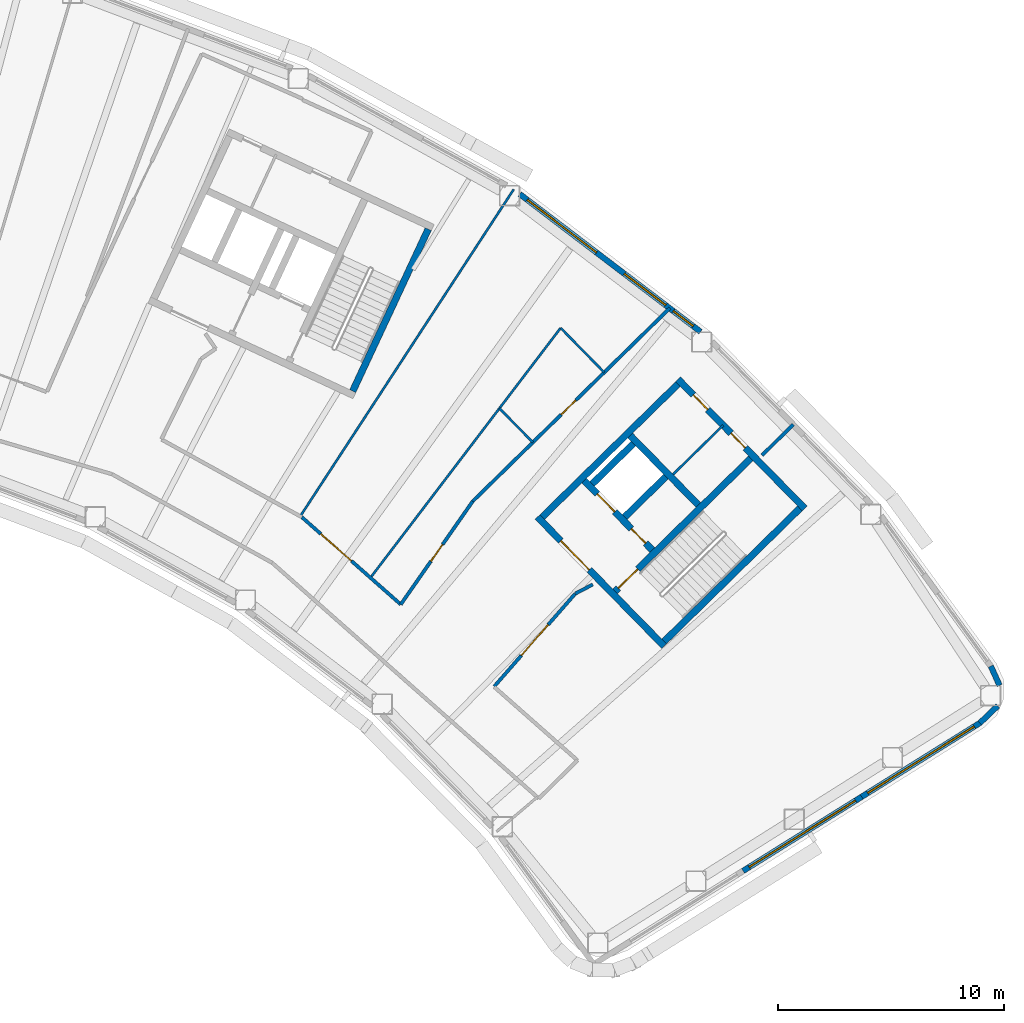
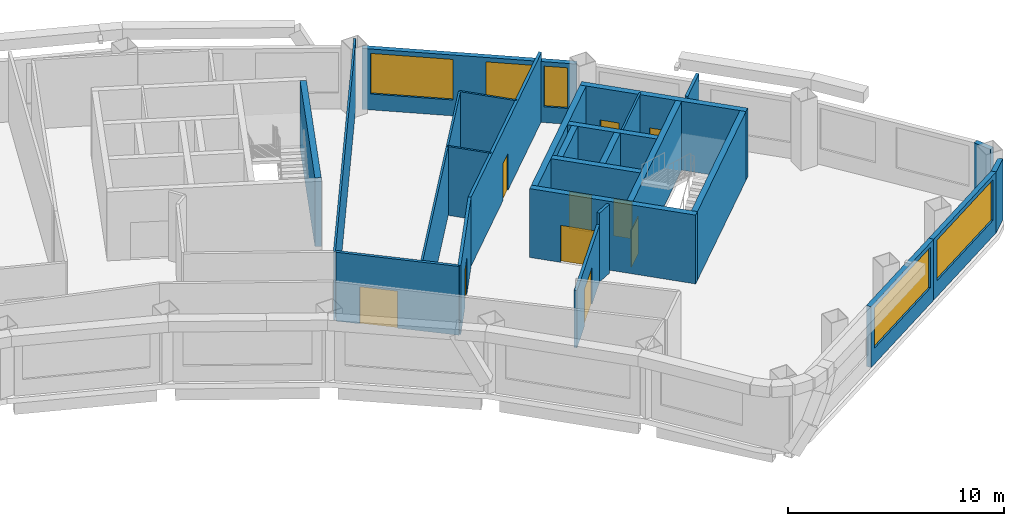
# One storey, part 9 of 16: 26 walls, 10 doors, 5 windows, 15 openings.
"""IFC4 building model written with IfcOpenShell, lengths in metres."""

import ifcopenshell
import ifcopenshell.guid

model = None  # the IFC model being written
_history = None  # IfcOwnerHistory: only IFC2X3 demands one
_inside = {}  # id of a spatial element -> (the spatial element, [elements in it])
_under = {}  # id of a project, library or spatial element -> (it, [spatial elements below it])
_declared = {}  # id of a project -> (the project, [libraries it declares])
_typed = {}  # id of a type object -> (the type object, [elements of that type])
_made_of = {}  # id of a material, layer set ... -> (it, [elements and type objects made of it])


def new_model(schema):
    """Start an empty IFC model of exactly this schema.

    Asked for "IFC4X3", IfcOpenShell would pick the latest addendum, in which some entities
    have other attributes; the version numbers below select the first issue.
    IFC2X3 requires an IfcOwnerHistory on every rooted entity: one is made here for all.
    """
    global model, _history
    if schema == "IFC4X3":
        model = ifcopenshell.file(schema_version=(4, 3, 0, 0))
    else:
        model = ifcopenshell.file(schema=schema)
    _inside.clear()
    _under.clear()
    _declared.clear()
    _typed.clear()
    _made_of.clear()
    _history = None
    if model.schema == "IFC2X3":
        org = make("IfcOrganization", Name="unknown")
        user = make(
            "IfcPersonAndOrganization",
            ThePerson=make("IfcPerson", FamilyName="unknown"),
            TheOrganization=org,
        )
        app = make(
            "IfcApplication",
            ApplicationDeveloper=org,
            Version="unknown",
            ApplicationFullName="unknown",
            ApplicationIdentifier="unknown",
        )
        _history = make(
            "IfcOwnerHistory",
            OwningUser=user,
            OwningApplication=app,
            ChangeAction="ADDED",
            CreationDate=0,
        )
    return model


def make(cls, **values):
    """One entity of the class cls with the attributes given. An attribute that is None is left unset."""
    return model.create_entity(
        cls, **{name: value for name, value in values.items() if value is not None}
    )


def rooted(cls, **values):
    """An entity with a GlobalId (a new one), such as an element, a storey or a relation."""
    return make(cls, GlobalId=ifcopenshell.guid.new(), OwnerHistory=_history, **values)


def si_unit(unit_type, name, prefix=None):
    """IfcSIUnit, for example si_unit("LENGTHUNIT", "METRE", prefix="MILLI")."""
    return make("IfcSIUnit", UnitType=unit_type, Prefix=prefix, Name=name)


def assignment(units):
    """IfcUnitAssignment: the units of a project."""
    return None if units is None else make("IfcUnitAssignment", Units=units)


def point(xyz):
    """IfcCartesianPoint."""
    return None if xyz is None else make("IfcCartesianPoint", Coordinates=xyz)


def direction(xyz):
    """IfcDirection."""
    return None if xyz is None else make("IfcDirection", DirectionRatios=xyz)


def frame(location, z_axis=None, x_axis=None):
    """IfcAxis2Placement3D, a coordinate frame: its origin and axes. An axis left out is left unset."""
    return make(
        "IfcAxis2Placement3D",
        Location=point(location),
        Axis=direction(z_axis),
        RefDirection=direction(x_axis),
    )


def frame_2d(location, x_axis=None):
    """IfcAxis2Placement2D, a coordinate frame in the plane: its origin and x axis."""
    return make(
        "IfcAxis2Placement2D", Location=point(location), RefDirection=direction(x_axis)
    )


def origin():
    """The frame at (0, 0, 0) with its axes left unset."""
    return frame((0.0, 0.0, 0.0))


def place(relative_to, where):
    """IfcLocalPlacement: puts the frame where relative to a parent placement (None: the world)."""
    return make(
        "IfcLocalPlacement", PlacementRelTo=relative_to, RelativePlacement=where
    )


def context(
    kind, dimensions, precision=None, world=None, true_north=None, identifier=None
):
    """IfcGeometricRepresentationContext, for example the 3D "Model" context."""
    return make(
        "IfcGeometricRepresentationContext",
        ContextIdentifier=identifier,
        ContextType=kind,
        CoordinateSpaceDimension=dimensions,
        Precision=precision,
        WorldCoordinateSystem=world,
        TrueNorth=true_north,
    )


def subcontext(parent, identifier, kind, view, scale=None):
    """IfcGeometricRepresentationSubContext, for example "Body" below "Model"."""
    return make(
        "IfcGeometricRepresentationSubContext",
        ContextIdentifier=identifier,
        ContextType=kind,
        ParentContext=parent,
        TargetScale=scale,
        TargetView=view,
    )


def project(units=None, contexts=None):
    """IfcProject with its units and contexts."""
    return rooted(
        "IfcProject",
        Name="project",
        RepresentationContexts=contexts,
        UnitsInContext=assignment(units),
    )


def spatial(cls, under=None, at=None, **own):
    """A site, building, storey or space (cls), placed at a placement, below another one or the project."""
    s = rooted(cls, ObjectPlacement=at, **own)
    if under is not None:
        _under.setdefault(under.id(), (under, []))[1].append(s)
    return s


def profile(cls, at=None, kind="AREA", **sizes):
    """A parametric profile (cls). Its sizes go by their IFC names, for example OverallWidth=200.0."""
    return make(cls, ProfileType=kind, Position=at, **sizes)


def rectangle(**sizes):
    """IfcRectangleProfileDef."""
    return profile("IfcRectangleProfileDef", **sizes)


def extrude(swept, where, along, depth):
    """IfcExtrudedAreaSolid: the profile swept, set in the frame where, extruded along a direction by depth."""
    return make(
        "IfcExtrudedAreaSolid",
        SweptArea=swept,
        Position=where,
        ExtrudedDirection=direction(along),
        Depth=depth,
    )


def shape(context_of_items, identifier, shape_type, items):
    """IfcShapeRepresentation: the items that make up one representation, for example the "Body"."""
    return make(
        "IfcShapeRepresentation",
        ContextOfItems=context_of_items,
        RepresentationIdentifier=identifier,
        RepresentationType=shape_type,
        Items=items,
    )


def material(Name=None, Category=None):
    """IfcMaterial."""
    return make("IfcMaterial", Name=Name, Category=Category)


def layer(
    of_material, thickness, ventilated=None, Name=None, Category=None, Priority=None
):
    """IfcMaterialLayer: one layer of a wall or slab, of a material (None: an air gap)."""
    return make(
        "IfcMaterialLayer",
        Material=of_material,
        LayerThickness=thickness,
        IsVentilated=ventilated,
        Name=Name,
        Category=Category,
        Priority=Priority,
    )


def layer_set(layers, Name=None):
    """IfcMaterialLayerSet."""
    return make("IfcMaterialLayerSet", MaterialLayers=layers, LayerSetName=Name)


def made_of(thing, what):
    """Note that an element or type object is made of a material, layer set ...; save() writes the relation."""
    if what is not None:
        _made_of.setdefault(what.id(), (what, []))[1].append(thing)
    return thing


def type_object(cls, material=None, **own):
    """A type object (cls), such as IfcWallType, which elements share."""
    return made_of(rooted(cls, **own), material)


def element(
    cls,
    number,
    at=None,
    inside=None,
    cuts=None,
    type_object=None,
    material=None,
    context=None,
    identifier="Body",
    shape_type=None,
    held_by="IfcProductDefinitionShape",
    body=None,
    shapes=None,
    **own,
):
    """One element of the class cls, such as IfcWall. Its Tag is "e" and its number.

    at: its placement. inside: the storey or other place that contains it. cuts: it is an
    opening in that element (IfcRelVoidsElement). A single representation is given by context,
    identifier, shape_type and body (its items); several are given by shapes. held_by: the class
    of the entity that holds the representations. save() writes the other relations.
    """
    e = rooted(cls, Tag="e%d" % number, ObjectPlacement=at, **own)
    if body is not None:
        shapes = [shape(context, identifier, shape_type, body)]
    if shapes is not None:
        e.Representation = make(held_by, Representations=shapes)
    if inside is not None:
        _inside.setdefault(inside.id(), (inside, []))[1].append(e)
    if cuts is not None:
        rooted(
            "IfcRelVoidsElement", RelatingBuildingElement=cuts, RelatedOpeningElement=e
        )
    if type_object is not None:
        _typed.setdefault(type_object.id(), (type_object, []))[1].append(e)
    return made_of(e, material)


def fill(opening, filler):
    """IfcRelFillsElement: the door or window that sits in an opening."""
    return rooted(
        "IfcRelFillsElement",
        RelatingOpeningElement=opening,
        RelatedBuildingElement=filler,
    )


def aggregate(whole, parts):
    """IfcRelAggregates: a whole, such as a stair, and the parts it consists of."""
    return rooted("IfcRelAggregates", RelatingObject=whole, RelatedObjects=parts)


def save(model, path):
    """Write the relations noted so far, then the file.

    IfcRelAggregates (storeys below a building ...), IfcRelContainedInSpatialStructure (elements
    in a storey), IfcRelDefinesByType, IfcRelAssociatesMaterial and IfcRelDeclares: one each for
    every whole, place, type object, material and project.
    """
    for whole, parts in _under.values():
        aggregate(whole, parts)
    for where, things in _inside.values():
        rooted(
            "IfcRelContainedInSpatialStructure",
            RelatedElements=things,
            RelatingStructure=where,
        )
    for kind, things in _typed.values():
        rooted("IfcRelDefinesByType", RelatedObjects=things, RelatingType=kind)
    for what, things in _made_of.values():
        rooted("IfcRelAssociatesMaterial", RelatedObjects=things, RelatingMaterial=what)
    for by, libraries in _declared.values():
        rooted("IfcRelDeclares", RelatingContext=by, RelatedDefinitions=libraries)
    model.write(path)


model = new_model("IFC4")

# Units and contexts
model_context = context("Model", 3, precision=1e-05, world=origin(), true_north=direction((0.0, 1.0)))
body_context = subcontext(model_context, "Body", "Model", "MODEL_VIEW")
ifc_project = project(units=[si_unit("LENGTHUNIT", "METRE"), si_unit("AREAUNIT", "SQUARE_METRE"), si_unit("VOLUMEUNIT", "CUBIC_METRE"), si_unit("PLANEANGLEUNIT", "RADIAN"), si_unit("MASSUNIT", "GRAM", prefix="KILO")], contexts=[model_context])

# Site, building, storey
site_placement = place(None, origin())
site = spatial("IfcSite", under=ifc_project, at=site_placement, CompositionType="ELEMENT")
building_placement = place(site_placement, origin())
building = spatial("IfcBuilding", under=site, at=building_placement, Name="Tuul Gate Civic Tower", CompositionType="ELEMENT")
storey_placement = place(building_placement, frame((0.0, 0.0, 184.699951171875)))
storey = spatial("IfcBuildingStorey", under=building, at=storey_placement, Name="Level 42", CompositionType="ELEMENT", Elevation=184.699951171875)

# Wall, opening, door
ifc_material_1 = material(Name="Concrete C50/60", Category="concrete")
ifc_layer_1 = layer(ifc_material_1, 0.300048828125)
ifc_layer_set_1 = layer_set([ifc_layer_1], Name="Concrete C50/60")
wall_type_1 = type_object("IfcWallType", Name="Core wall C50/60", PredefinedType="SHEAR", material=ifc_layer_set_1)
wall_1_placement = place(storey_placement, frame((48.22509765625, -18.327880859375, 0.0), z_axis=(0.0, 0.0, 1.0), x_axis=(-0.700021979774, 0.714121297703, 0.0)))
wall_1 = element("IfcWall", 1, at=wall_1_placement, inside=storey, type_object=wall_type_1, Name="Core wall", PredefinedType="SHEAR", context=body_context, shape_type="SweptSolid", body=[
    extrude(rectangle(XDim=8.0, YDim=0.300048828125, at=frame_2d((4.0, 0.0))), origin(), (0.0, 0.0, 1.0), 3.900146484375),
])
opening_1_placement = place(wall_1_placement, frame((4.72509765625, 0.0, 0.0)))
opening_1 = element("IfcOpeningElement", 2, at=opening_1_placement, cuts=wall_1, Name="Opening LB-E1-LOBBY-1", PredefinedType="OPENING", context=body_context, shape_type="SweptSolid", body=[
    extrude(rectangle(XDim=1.800048828125, YDim=2.10009765625, at=frame_2d((0.89990234375, 1.050048828125))), frame((0.0, 0.16015625, 0.0), z_axis=(0.0, -1.0, 0.0), x_axis=(1.0, 0.0, 0.0)), (0.0, 0.0, 1.0), 0.320068359375),
])
ifc_material_2 = material(Name="Steel", Category="steel")
door_type_1 = type_object("IfcDoorType", Name="Lobby door", OperationType="DOUBLE_DOOR_SINGLE_SWING", PredefinedType="DOOR", material=ifc_material_2)
door_1_placement = place(opening_1_placement, frame((1.800048828125, 0.0, 0.0), z_axis=(0.0, 0.0, 1.0), x_axis=(-1.0, 0.0, 0.0)))
door_1 = element("IfcDoor", 3, at=door_1_placement, inside=storey, type_object=door_type_1, Name="Lobby door E1-LOBBY", OperationType="DOUBLE_DOOR_SINGLE_SWING", OverallHeight=2.10009765625, OverallWidth=1.800048828125, PredefinedType="DOOR", context=body_context, shape_type="SweptSolid", body=[
    extrude(rectangle(XDim=1.800048828125, YDim=2.10009765625, at=frame_2d((0.900146484375, 1.050048828125))), frame((0.0, 0.02490234375, 0.0), z_axis=(0.0, -1.0, 0.0), x_axis=(1.0, 0.0, 0.0)), (0.0, 0.0, 1.0), 0.050048828125),
])
fill(opening_1, door_1)

# Wall, openings, doors
wall_2_placement = place(storey_placement, frame((47.701904296875, -14.079833984375, 0.0), z_axis=(0.0, 0.0, 1.0), x_axis=(-0.700002721075, 0.714140175657, 0.0)))
wall_2 = element("IfcWall", 4, at=wall_2_placement, inside=storey, type_object=wall_type_1, Name="Core wall", PredefinedType="SHEAR", context=body_context, shape_type="SweptSolid", body=[
    extrude(rectangle(XDim=4.300048828125, YDim=0.300048828125, at=frame_2d((2.14990234375, 0.0))), origin(), (0.0, 0.0, 1.0), 3.900146484375),
])
opening_2_placement = place(wall_2_placement, frame((0.425048828125, 0.0, 0.0)))
opening_2 = element("IfcOpeningElement", 5, at=opening_2_placement, cuts=wall_2, Name="Opening FB-E1A1", PredefinedType="OPENING", context=body_context, shape_type="SweptSolid", body=[
    extrude(rectangle(XDim=0.89990234375, YDim=2.10009765625, at=frame_2d((0.449951171875, 1.050048828125))), frame((0.0, 0.16015625, 0.0), z_axis=(0.0, -1.0, 0.0), x_axis=(1.0, 0.0, 0.0)), (0.0, 0.0, 1.0), 0.320068359375),
])
opening_3_placement = place(wall_2_placement, frame((2.375, 0.0, 0.0)))
opening_3 = element("IfcOpeningElement", 6, at=opening_3_placement, cuts=wall_2, Name="Opening LD-M3", PredefinedType="OPENING", context=body_context, shape_type="SweptSolid", body=[
    extrude(rectangle(XDim=1.10009765625, YDim=2.10009765625, at=frame_2d((0.550048828125, 1.050048828125))), frame((0.0, 0.16015625, 0.0), z_axis=(0.0, -1.0, 0.0), x_axis=(1.0, 0.0, 0.0)), (0.0, 0.0, 1.0), 0.320068359375),
])
ifc_material_3 = material(Name="Stainless steel", Category="steel")
door_type_2 = type_object("IfcDoorType", Name="Landing door", OperationType="DOUBLE_DOOR_SLIDING", PredefinedType="DOOR", material=ifc_material_3)
door_2_placement = place(opening_3_placement, origin())
door_2 = element("IfcDoor", 7, at=door_2_placement, inside=storey, type_object=door_type_2, Name="Mid-rise lift M3 landing door", OperationType="DOUBLE_DOOR_SLIDING", OverallHeight=2.10009765625, OverallWidth=1.10009765625, PredefinedType="DOOR", context=body_context, shape_type="SweptSolid", body=[
    extrude(rectangle(XDim=1.10009765625, YDim=2.10009765625, at=frame_2d((0.550048828125, 1.050048828125))), frame((0.0, 0.02490234375, 0.0), z_axis=(0.0, -1.0, 0.0), x_axis=(1.0, 0.0, 0.0)), (0.0, 0.0, 1.0), 0.050048828125),
])
fill(opening_3, door_2)
ifc_material_4 = material(Name="Steel", Category="steel")
door_type_3 = type_object("IfcDoorType", Name="Store door", OperationType="NOTDEFINED", PredefinedType="DOOR", material=ifc_material_4)
door_3_placement = place(opening_2_placement, frame((0.89990234375, 0.0, 0.0), z_axis=(0.0, 0.0, 1.0), x_axis=(-1.0, 0.0, 0.0)))
door_3 = element("IfcDoor", 8, at=door_3_placement, inside=storey, type_object=door_type_3, Name="Store door E1A1", OperationType="SINGLE_SWING_RIGHT", OverallHeight=2.10009765625, OverallWidth=0.89990234375, PredefinedType="DOOR", context=body_context, shape_type="SweptSolid", body=[
    extrude(rectangle(XDim=0.89990234375, YDim=2.10009765625, at=frame_2d((0.449951171875, 1.050048828125))), frame((0.0, 0.02490234375, 0.0), z_axis=(0.0, -1.0, 0.0), x_axis=(1.0, 0.0, 0.0)), (0.0, 0.0, 1.0), 0.050048828125),
])
fill(opening_2, door_3)

# Wall
wall_3_placement = place(storey_placement, frame((49.737060546875, -12.0849609375, 0.0), z_axis=(0.0, 0.0, 1.0), x_axis=(-0.700002721075, 0.714140175657, 0.0)))
element("IfcWall", 9, at=wall_3_placement, inside=storey, type_object=wall_type_1, Name="Core wall", PredefinedType="SHEAR", context=body_context, shape_type="SweptSolid", body=[
    extrude(rectangle(XDim=4.300048828125, YDim=0.300048828125, at=frame_2d((2.14990234375, 0.0))), origin(), (0.0, 0.0, 1.0), 3.900146484375),
])

# Wall, openings, doors
wall_4_placement = place(storey_placement, frame((54.43798828125, -12.23779296875, 0.0), z_axis=(0.0, 0.0, 1.0), x_axis=(-0.700021979774, 0.714121297703, 0.0)))
wall_4 = element("IfcWall", 10, at=wall_4_placement, inside=storey, type_object=wall_type_1, Name="Core wall", PredefinedType="SHEAR", context=body_context, shape_type="SweptSolid", body=[
    extrude(rectangle(XDim=8.0, YDim=0.300048828125, at=frame_2d((4.0, 0.0))), origin(), (0.0, 0.0, 1.0), 3.900146484375),
])
opening_4_placement = place(wall_4_placement, frame((3.75, 0.0, 0.0)))
opening_4 = element("IfcOpeningElement", 11, at=opening_4_placement, cuts=wall_4, Name="Opening O-D27", PredefinedType="OPENING", context=body_context, shape_type="SweptSolid", body=[
    extrude(rectangle(XDim=0.89990234375, YDim=2.10009765625, at=frame_2d((0.449951171875, 1.050048828125))), frame((0.0, 0.16015625, 0.0), z_axis=(0.0, -1.0, 0.0), x_axis=(1.0, 0.0, 0.0)), (0.0, 0.0, 1.0), 0.320068359375),
])
opening_5_placement = place(wall_4_placement, frame((6.125, 0.0, 0.0)))
opening_5 = element("IfcOpeningElement", 12, at=opening_5_placement, cuts=wall_4, Name="Opening O-D28", PredefinedType="OPENING", context=body_context, shape_type="SweptSolid", body=[
    extrude(rectangle(XDim=0.89990234375, YDim=2.10009765625, at=frame_2d((0.449951171875, 1.050048828125))), frame((0.0, 0.16015625, 0.0), z_axis=(0.0, -1.0, 0.0), x_axis=(1.0, 0.0, 0.0)), (0.0, 0.0, 1.0), 0.320068359375),
])
ifc_material_5 = material(Name="Timber door leaf", Category="wood")
door_type_4 = type_object("IfcDoorType", Name="Door D09", OperationType="NOTDEFINED", PredefinedType="DOOR", material=ifc_material_5)
door_4_placement = place(opening_4_placement, origin())
door_4 = element("IfcDoor", 13, at=door_4_placement, inside=storey, type_object=door_type_4, Name="Door O-D27", OperationType="SINGLE_SWING_LEFT", OverallHeight=2.10009765625, OverallWidth=0.89990234375, PredefinedType="DOOR", context=body_context, shape_type="SweptSolid", body=[
    extrude(rectangle(XDim=0.89990234375, YDim=2.10009765625, at=frame_2d((0.449951171875, 1.050048828125))), frame((0.0, 0.02490234375, 0.0), z_axis=(0.0, -1.0, 0.0), x_axis=(1.0, 0.0, 0.0)), (0.0, 0.0, 1.0), 0.050048828125),
])
fill(opening_4, door_4)
door_5_placement = place(opening_5_placement, origin())
door_5 = element("IfcDoor", 14, at=door_5_placement, inside=storey, type_object=door_type_4, Name="Door O-D28", OperationType="SINGLE_SWING_LEFT", OverallHeight=2.10009765625, OverallWidth=0.89990234375, PredefinedType="DOOR", context=body_context, shape_type="SweptSolid", body=[
    extrude(rectangle(XDim=0.89990234375, YDim=2.10009765625, at=frame_2d((0.449951171875, 1.050048828125))), frame((0.0, 0.02490234375, 0.0), z_axis=(0.0, -1.0, 0.0), x_axis=(1.0, 0.0, 0.0)), (0.0, 0.0, 1.0), 0.050048828125),
])
fill(opening_5, door_5)

# Wall
wall_5_placement = place(storey_placement, frame((48.227294921875, -18.115966796875, 0.0), z_axis=(0.0, 0.0, 1.0), x_axis=(0.714105315431, 0.700038283577, 0.0)))
element("IfcWall", 15, at=wall_5_placement, inside=storey, type_object=wall_type_1, Name="Core wall", PredefinedType="SHEAR", context=body_context, shape_type="SweptSolid", body=[
    extrude(rectangle(XDim=8.400146484375, YDim=0.300048828125, at=frame_2d((4.2001953125, 0.0))), origin(), (0.0, 0.0, 1.0), 3.900146484375),
])

# Wall, opening, door
wall_6_placement = place(storey_placement, frame((46.05712890625, -15.902099609375, 0.0), z_axis=(0.0, 0.0, 1.0), x_axis=(0.714134086973, 0.700008932674, 0.0)))
wall_6 = element("IfcWall", 16, at=wall_6_placement, inside=storey, type_object=wall_type_1, Name="Core wall", PredefinedType="SHEAR", context=body_context, shape_type="SweptSolid", body=[
    extrude(rectangle(XDim=8.400146484375, YDim=0.300048828125, at=frame_2d((4.2001953125, 0.0))), origin(), (0.0, 0.0, 1.0), 3.900146484375),
])
opening_6_placement = place(wall_6_placement, frame((0.199951171875, 0.0, 0.0)))
opening_6 = element("IfcOpeningElement", 17, at=opening_6_placement, cuts=wall_6, Name="Opening SD-ST-3", PredefinedType="OPENING", context=body_context, shape_type="SweptSolid", body=[
    extrude(rectangle(XDim=1.199951171875, YDim=2.10009765625, at=frame_2d((0.60009765625, 1.050048828125))), frame((0.0, 0.16015625, 0.0), z_axis=(0.0, -1.0, 0.0), x_axis=(1.0, 0.0, 0.0)), (0.0, 0.0, 1.0), 0.320068359375),
])
ifc_material_6 = material(Name="Steel", Category="steel")
door_type_5 = type_object("IfcDoorType", Name="Stair door", OperationType="NOTDEFINED", PredefinedType="DOOR", material=ifc_material_6)
door_6_placement = place(opening_6_placement, origin())
door_6 = element("IfcDoor", 18, at=door_6_placement, inside=storey, type_object=door_type_5, Name="Stair door ST-3", OperationType="SINGLE_SWING_LEFT", OverallHeight=2.10009765625, OverallWidth=1.199951171875, PredefinedType="DOOR", context=body_context, shape_type="SweptSolid", body=[
    extrude(rectangle(XDim=1.199951171875, YDim=2.10009765625, at=frame_2d((0.60009765625, 1.050048828125))), frame((0.0, 0.02490234375, 0.0), z_axis=(0.0, -1.0, 0.0), x_axis=(1.0, 0.0, 0.0)), (0.0, 0.0, 1.0), 0.050048828125),
])
fill(opening_6, door_6)

# Walls
wall_7_placement = place(storey_placement, frame((46.47900390625, -12.617919921875, 0.0), z_axis=(0.0, 0.0, 1.0), x_axis=(0.71410944159, 0.700034074479, 0.0)))
element("IfcWall", 19, at=wall_7_placement, inside=storey, type_object=wall_type_1, Name="Core wall", PredefinedType="SHEAR", context=body_context, shape_type="SweptSolid", body=[
    extrude(rectangle(XDim=2.5498046875, YDim=0.300048828125, at=frame_2d((1.27490234375, 0.0))), origin(), (0.0, 0.0, 1.0), 3.900146484375),
])
wall_8_placement = place(storey_placement, frame((45.0439453125, -11.154052734375, 0.0), z_axis=(0.0, 0.0, 1.0), x_axis=(0.714108498262, 0.700035036773, 0.0)))
element("IfcWall", 20, at=wall_8_placement, inside=storey, type_object=wall_type_1, Name="Core wall", PredefinedType="SHEAR", context=body_context, shape_type="SweptSolid", body=[
    extrude(rectangle(XDim=2.550048828125, YDim=0.300048828125, at=frame_2d((1.27490234375, 0.0))), origin(), (0.0, 0.0, 1.0), 3.900146484375),
])
wall_9_placement = place(storey_placement, frame((42.837158203125, -12.616943359375, 0.0), z_axis=(0.0, 0.0, 1.0), x_axis=(0.714119844755, 0.700023461983, 0.0)))
element("IfcWall", 21, at=wall_9_placement, inside=storey, type_object=wall_type_1, Name="Core wall", PredefinedType="SHEAR", context=body_context, shape_type="SweptSolid", body=[
    extrude(rectangle(XDim=8.39990234375, YDim=0.300048828125, at=frame_2d((4.199951171875, 0.0))), origin(), (0.0, 0.0, 1.0), 3.900146484375),
])
wall_10_placement = place(storey_placement, frame((34.455810546875, -7.05078125, 0.0), z_axis=(0.0, 0.0, 1.0), x_axis=(0.422570768258, 0.906329932096, 0.0)))
element("IfcWall", 22, at=wall_10_placement, inside=storey, type_object=wall_type_1, Name="Core wall", PredefinedType="SHEAR", context=body_context, shape_type="SweptSolid", body=[
    extrude(rectangle(XDim=7.900146484375, YDim=0.300048828125, at=frame_2d((3.9501953125, 0.0))), origin(), (0.0, 0.0, 1.0), 3.900146484375),
])

# Wall, opening, door
ifc_material_7 = material(Name="Gypsum board partition")
ifc_layer_2 = layer(ifc_material_7, 0.14990234375)
ifc_layer_set_2 = layer_set([ifc_layer_2], Name="Gypsum board partition")
wall_type_2 = type_object("IfcWallType", Name="Corridor wall P150", PredefinedType="PARTITIONING", material=ifc_layer_set_2)
wall_11_placement = place(storey_placement, frame((32.206298828125, -12.62255859375, 0.0), z_axis=(0.0, 0.0, 1.0), x_axis=(0.749813421026, -0.661649328307, 0.0)))
wall_11 = element("IfcWall", 23, at=wall_11_placement, inside=storey, type_object=wall_type_2, Name="p003", PredefinedType="PARTITIONING", context=body_context, shape_type="SweptSolid", body=[
    extrude(rectangle(XDim=5.831787109375, YDim=0.14990234375, at=frame_2d((2.916015625, 0.0))), origin(), (0.0, 0.0, 1.0), 3.900146484375),
])
opening_7_placement = place(wall_11_placement, frame((1.123046875, 0.0, 0.0)))
opening_7 = element("IfcOpeningElement", 24, at=opening_7_placement, cuts=wall_11, Name="Opening O-D03", PredefinedType="OPENING", context=body_context, shape_type="SweptSolid", body=[
    extrude(rectangle(XDim=1.800048828125, YDim=2.10009765625, at=frame_2d((0.89990234375, 1.050048828125))), frame((0.0, 0.0849609375, 0.0), z_axis=(0.0, -1.0, 0.0), x_axis=(1.0, 0.0, 0.0)), (0.0, 0.0, 1.0), 0.169921875),
])
ifc_material_8 = material(Name="Timber door leaf, double", Category="wood")
door_type_6 = type_object("IfcDoorType", Name="Door D18", OperationType="DOUBLE_DOOR_SINGLE_SWING", PredefinedType="DOOR", material=ifc_material_8)
door_7_placement = place(opening_7_placement, origin())
door_7 = element("IfcDoor", 25, at=door_7_placement, inside=storey, type_object=door_type_6, Name="Door O-D03", OperationType="DOUBLE_DOOR_SINGLE_SWING", OverallHeight=2.10009765625, OverallWidth=1.800048828125, PredefinedType="DOOR", context=body_context, shape_type="SweptSolid", body=[
    extrude(rectangle(XDim=1.800048828125, YDim=2.10009765625, at=frame_2d((0.89990234375, 1.050048828125))), frame((0.0, 0.02490234375, 0.0), z_axis=(0.0, -1.0, 0.0), x_axis=(1.0, 0.0, 0.0)), (0.0, 0.0, 1.0), 0.050048828125),
])
fill(opening_7, door_7)

# Walls
wall_12_placement = place(storey_placement, frame((44.297607421875, -16.002685546875, 0.0), z_axis=(0.0, 0.0, 1.0), x_axis=(0.885518894056, 0.464603366616, 0.0)))
element("IfcWall", 26, at=wall_12_placement, inside=storey, type_object=wall_type_2, Name="p006", PredefinedType="PARTITIONING", context=body_context, shape_type="SweptSolid", body=[
    extrude(rectangle(XDim=0.871826171875, YDim=0.14990234375, at=frame_2d((0.43603515625, 0.0))), origin(), (0.0, 0.0, 1.0), 3.900146484375),
])
wall_13_placement = place(storey_placement, frame((52.5517578125, -9.88525390625, 0.0), z_axis=(0.0, 0.0, 1.0), x_axis=(0.714076550364, 0.700067625463, 0.0)))
element("IfcWall", 27, at=wall_13_placement, inside=storey, type_object=wall_type_2, Name="p007", PredefinedType="PARTITIONING", context=body_context, shape_type="SweptSolid", body=[
    extrude(rectangle(XDim=1.9345703125, YDim=0.14990234375, at=frame_2d((0.96728515625, 0.0))), origin(), (0.0, 0.0, 1.0), 3.900146484375),
])

# Wall, opening, door
wall_14_placement = place(storey_placement, frame((39.759521484375, -11.923095703125, 0.0), z_axis=(0.0, 0.0, 1.0), x_axis=(0.714135407695, 0.700007585299, 0.0)))
wall_14 = element("IfcWall", 28, at=wall_14_placement, inside=storey, type_object=wall_type_2, Name="p012", PredefinedType="PARTITIONING", context=body_context, shape_type="SweptSolid", body=[
    extrude(rectangle(XDim=12.2001953125, YDim=0.14990234375, at=frame_2d((6.10009765625, 0.0))), origin(), (0.0, 0.0, 1.0), 3.900146484375),
])
opening_8_placement = place(wall_14_placement, frame((5.4833984375, 0.0, 0.0)))
opening_8 = element("IfcOpeningElement", 29, at=opening_8_placement, cuts=wall_14, Name="Opening O-D02", PredefinedType="OPENING", context=body_context, shape_type="SweptSolid", body=[
    extrude(rectangle(XDim=0.89990234375, YDim=2.10009765625, at=frame_2d((0.449951171875, 1.050048828125))), frame((0.0, 0.0849609375, 0.0), z_axis=(0.0, -1.0, 0.0), x_axis=(1.0, 0.0, 0.0)), (0.0, 0.0, 1.0), 0.169921875),
])
door_8_placement = place(opening_8_placement, origin())
door_8 = element("IfcDoor", 30, at=door_8_placement, inside=storey, type_object=door_type_4, Name="Door O-D02", OperationType="SINGLE_SWING_RIGHT", OverallHeight=2.10009765625, OverallWidth=0.89990234375, PredefinedType="DOOR", context=body_context, shape_type="SweptSolid", body=[
    extrude(rectangle(XDim=0.89990234375, YDim=2.10009765625, at=frame_2d((0.449951171875, 1.050048828125))), frame((0.0, 0.02490234375, 0.0), z_axis=(0.0, -1.0, 0.0), x_axis=(1.0, 0.0, 0.0)), (0.0, 0.0, 1.0), 0.050048828125),
])
fill(opening_8, door_8)

wall_15_placement = place(storey_placement, frame((36.5791015625, -16.481201171875, 0.0), z_axis=(0.0, 0.0, 1.0), x_axis=(0.572223507899, 0.820097711866, 0.0)))
wall_15 = element("IfcWall", 31, at=wall_15_placement, inside=storey, type_object=wall_type_2, Name="p074", PredefinedType="PARTITIONING", context=body_context, shape_type="SweptSolid", body=[
    extrude(rectangle(XDim=5.55810546875, YDim=0.14990234375, at=frame_2d((2.779052734375, 0.0))), origin(), (0.0, 0.0, 1.0), 3.900146484375),
])
opening_9_placement = place(wall_15_placement, frame((2.3291015625, 0.0, 0.0)))
opening_9 = element("IfcOpeningElement", 32, at=opening_9_placement, cuts=wall_15, Name="Opening O-D24", PredefinedType="OPENING", context=body_context, shape_type="SweptSolid", body=[
    extrude(rectangle(XDim=0.89990234375, YDim=2.10009765625, at=frame_2d((0.449951171875, 1.050048828125))), frame((0.0, 0.0849609375, 0.0), z_axis=(0.0, -1.0, 0.0), x_axis=(1.0, 0.0, 0.0)), (0.0, 0.0, 1.0), 0.169921875),
])
door_9_placement = place(opening_9_placement, origin())
door_9 = element("IfcDoor", 33, at=door_9_placement, inside=storey, type_object=door_type_4, Name="Door O-D24", OperationType="SINGLE_SWING_RIGHT", OverallHeight=2.10009765625, OverallWidth=0.89990234375, PredefinedType="DOOR", context=body_context, shape_type="SweptSolid", body=[
    extrude(rectangle(XDim=0.89990234375, YDim=2.10009765625, at=frame_2d((0.449951171875, 1.050048828125))), frame((0.0, 0.02490234375, 0.0), z_axis=(0.0, -1.0, 0.0), x_axis=(1.0, 0.0, 0.0)), (0.0, 0.0, 1.0), 0.050048828125),
])
fill(opening_9, door_9)

ifc_material_9 = material(Name="Gypsum board partition")
ifc_layer_3 = layer(ifc_material_9, 0.14990234375)
ifc_layer_set_3 = layer_set([ifc_layer_3], Name="Gypsum board partition")
wall_type_3 = type_object("IfcWallType", Name="Corridor wall P150 3250 HIGH", PredefinedType="PARTITIONING", material=ifc_layer_set_3)
wall_16_placement = place(storey_placement, frame((40.714111328125, -20.10595703125, 0.0), z_axis=(0.0, 0.0, 1.0), x_axis=(0.657605101482, 0.753362814655, 0.0)))
wall_16 = element("IfcWall", 34, at=wall_16_placement, inside=storey, type_object=wall_type_3, Name="p005", PredefinedType="PARTITIONING", context=body_context, shape_type="SweptSolid", body=[
    extrude(rectangle(XDim=5.440673828125, YDim=0.14990234375, at=frame_2d((2.72021484375, 0.0))), origin(), (0.0, 0.0, 1.0), 3.25),
])
opening_10_placement = place(wall_16_placement, frame((1.8203125, 0.0, 0.0)))
opening_10 = element("IfcOpeningElement", 35, at=opening_10_placement, cuts=wall_16, Name="Opening O-D01", PredefinedType="OPENING", context=body_context, shape_type="SweptSolid", body=[
    extrude(rectangle(XDim=1.800048828125, YDim=2.10009765625, at=frame_2d((0.89990234375, 1.050048828125))), frame((0.0, 0.0849609375, 0.0), z_axis=(0.0, -1.0, 0.0), x_axis=(1.0, 0.0, 0.0)), (0.0, 0.0, 1.0), 0.169921875),
])
door_10_placement = place(opening_10_placement, frame((1.800048828125, 0.0, 0.0), z_axis=(0.0, 0.0, 1.0), x_axis=(-1.0, 0.0, 0.0)))
door_10 = element("IfcDoor", 36, at=door_10_placement, inside=storey, type_object=door_type_6, Name="Door O-D01", OperationType="DOUBLE_DOOR_SINGLE_SWING", OverallHeight=2.10009765625, OverallWidth=1.800048828125, PredefinedType="DOOR", context=body_context, shape_type="SweptSolid", body=[
    extrude(rectangle(XDim=1.800048828125, YDim=2.10009765625, at=frame_2d((0.900146484375, 1.050048828125))), frame((0.0, 0.02490234375, 0.0), z_axis=(0.0, -1.0, 0.0), x_axis=(1.0, 0.0, 0.0)), (0.0, 0.0, 1.0), 0.050048828125),
])
fill(opening_10, door_10)

# Walls
ifc_material_10 = material(Name="Precast concrete C40/50", Category="concrete")
ifc_layer_4 = layer(ifc_material_10, 0.25)
ifc_layer_set_4 = layer_set([ifc_layer_4], Name="Precast concrete C40/50")
wall_type_4 = type_object("IfcWallType", Name="External wall", PredefinedType="STANDARD", material=ifc_layer_set_4)
wall_17_placement = place(storey_placement, frame((62.180419921875, -21.725830078125, 0.0), z_axis=(0.0, 0.0, 1.0), x_axis=(0.722107994372, 0.691780344087, 0.0)))
element("IfcWall", 37, at=wall_17_placement, inside=storey, type_object=wall_type_4, Name="External wall", PredefinedType="STANDARD", context=body_context, shape_type="SweptSolid", body=[
    extrude(rectangle(XDim=1.102783203125, YDim=0.25, at=frame_2d((0.55126953125, 0.0))), origin(), (0.0, 0.0, 1.0), 3.449951171875),
])
wall_18_placement = place(storey_placement, frame((63.0546875, -20.06298828125, 0.0), z_axis=(0.0, 0.0, 1.0), x_axis=(-0.413528765966, 0.910491054167, 0.0)))
element("IfcWall", 38, at=wall_18_placement, inside=storey, type_object=wall_type_4, Name="External wall", PredefinedType="STANDARD", context=body_context, shape_type="SweptSolid", body=[
    extrude(rectangle(XDim=0.939208984375, YDim=0.25, at=frame_2d((0.4697265625, 0.0))), origin(), (0.0, 0.0, 1.0), 3.449951171875),
])

# Wall, openings, windows
wall_19_placement = place(storey_placement, frame((49.83251953125, -4.425048828125, 0.0), z_axis=(0.0, 0.0, 1.0), x_axis=(-0.795600211162, 0.605822006862, 0.0)))
wall_19 = element("IfcWall", 39, at=wall_19_placement, inside=storey, type_object=wall_type_4, Name="External wall", PredefinedType="STANDARD", context=body_context, shape_type="SweptSolid", body=[
    extrude(rectangle(XDim=10.043212890625, YDim=0.25, at=frame_2d((5.021484375, 0.0))), origin(), (0.0, 0.0, 1.0), 3.449951171875),
])
opening_11_placement = place(wall_19_placement, frame((5.782958984375, 0.0, 0.89990234375)))
opening_11 = element("IfcOpeningElement", 40, at=opening_11_placement, cuts=wall_19, Name="Opening W22", PredefinedType="OPENING", context=body_context, shape_type="SweptSolid", body=[
    extrude(rectangle(XDim=3.85009765625, YDim=2.300048828125, at=frame_2d((1.925048828125, 1.14990234375))), frame((0.0, 0.135009765625, 0.0), z_axis=(0.0, -1.0, 0.0), x_axis=(1.0, 0.0, 0.0)), (0.0, 0.0, 1.0), 0.27001953125),
])
opening_12_placement = place(wall_19_placement, frame((0.412841796875, 0.0, 0.89990234375)))
opening_12 = element("IfcOpeningElement", 41, at=opening_12_placement, cuts=wall_19, Name="Opening W33", PredefinedType="OPENING", context=body_context, shape_type="SweptSolid", body=[
    extrude(rectangle(XDim=1.10009765625, YDim=2.300048828125, at=frame_2d((0.550048828125, 1.14990234375))), frame((0.0, 0.135009765625, 0.0), z_axis=(0.0, -1.0, 0.0), x_axis=(1.0, 0.0, 0.0)), (0.0, 0.0, 1.0), 0.27001953125),
])
opening_13_placement = place(wall_19_placement, frame((1.937744140625, 0.0, 0.89990234375)))
opening_13 = element("IfcOpeningElement", 42, at=opening_13_placement, cuts=wall_19, Name="Opening W34", PredefinedType="OPENING", context=body_context, shape_type="SweptSolid", body=[
    extrude(rectangle(XDim=2.300048828125, YDim=2.300048828125, at=frame_2d((1.14990234375, 1.14990234375))), frame((0.0, 0.135009765625, 0.0), z_axis=(0.0, -1.0, 0.0), x_axis=(1.0, 0.0, 0.0)), (0.0, 0.0, 1.0), 0.27001953125),
])
ifc_material_11 = material(Name="Glass", Category="glass")
window_type_1 = type_object("IfcWindowType", Name="Window 1100 x 2300", PartitioningType="SINGLE_PANEL", PredefinedType="WINDOW", material=ifc_material_11)
window_1_placement = place(opening_12_placement, origin())
window_1 = element("IfcWindow", 43, at=window_1_placement, inside=storey, type_object=window_type_1, Name="Window", OverallHeight=2.300048828125, OverallWidth=1.10009765625, PartitioningType="SINGLE_PANEL", PredefinedType="WINDOW", context=body_context, shape_type="SweptSolid", body=[
    extrude(rectangle(XDim=1.10009765625, YDim=2.300048828125, at=frame_2d((0.550048828125, 1.14990234375))), frame((0.0, 0.030029296875, 0.0), z_axis=(0.0, -1.0, 0.0), x_axis=(1.0, 0.0, 0.0)), (0.0, 0.0, 1.0), 0.06005859375),
])
fill(opening_12, window_1)
ifc_material_12 = material(Name="Glass", Category="glass")
window_type_2 = type_object("IfcWindowType", Name="Window 2300 x 2300", PartitioningType="SINGLE_PANEL", PredefinedType="WINDOW", material=ifc_material_12)
window_2_placement = place(opening_13_placement, origin())
window_2 = element("IfcWindow", 44, at=window_2_placement, inside=storey, type_object=window_type_2, Name="Window", OverallHeight=2.300048828125, OverallWidth=2.300048828125, PartitioningType="SINGLE_PANEL", PredefinedType="WINDOW", context=body_context, shape_type="SweptSolid", body=[
    extrude(rectangle(XDim=2.300048828125, YDim=2.300048828125, at=frame_2d((1.14990234375, 1.14990234375))), frame((0.0, 0.030029296875, 0.0), z_axis=(0.0, -1.0, 0.0), x_axis=(1.0, 0.0, 0.0)), (0.0, 0.0, 1.0), 0.06005859375),
])
fill(opening_13, window_2)
ifc_material_13 = material(Name="Glass", Category="glass")
window_type_3 = type_object("IfcWindowType", Name="Window W22 3850 x 2300", PartitioningType="SINGLE_PANEL", PredefinedType="WINDOW", material=ifc_material_13)
window_3_placement = place(opening_11_placement, origin())
window_3 = element("IfcWindow", 45, at=window_3_placement, inside=storey, type_object=window_type_3, Name="Window", OverallHeight=2.300048828125, OverallWidth=3.85009765625, PartitioningType="SINGLE_PANEL", PredefinedType="WINDOW", context=body_context, shape_type="SweptSolid", body=[
    extrude(rectangle(XDim=3.85009765625, YDim=2.300048828125, at=frame_2d((1.925048828125, 1.14990234375))), frame((0.0, 0.030029296875, 0.0), z_axis=(0.0, -1.0, 0.0), x_axis=(1.0, 0.0, 0.0)), (0.0, 0.0, 1.0), 0.06005859375),
])
fill(opening_11, window_3)

# Wall, opening, window
wall_20_placement = place(storey_placement, frame((51.714111328125, -28.2626953125, 0.0), z_axis=(0.0, 0.0, 1.0), x_axis=(0.848053758074, 0.529910203164, 0.0)))
wall_20 = element("IfcWall", 46, at=wall_20_placement, inside=storey, type_object=wall_type_4, Name="External wall", PredefinedType="STANDARD", context=body_context, shape_type="SweptSolid", body=[
    extrude(rectangle(XDim=6.182861328125, YDim=0.25, at=frame_2d((3.09130859375, 0.0))), origin(), (0.0, 0.0, 1.0), 3.449951171875),
])
opening_14_placement = place(wall_20_placement, frame((0.31640625, 0.0, 0.89990234375)))
opening_14 = element("IfcOpeningElement", 47, at=opening_14_placement, cuts=wall_20, Name="Opening W24", PredefinedType="OPENING", context=body_context, shape_type="SweptSolid", body=[
    extrude(rectangle(XDim=5.550048828125, YDim=2.300048828125, at=frame_2d((2.77490234375, 1.14990234375))), frame((0.0, 0.135009765625, 0.0), z_axis=(0.0, -1.0, 0.0), x_axis=(1.0, 0.0, 0.0)), (0.0, 0.0, 1.0), 0.27001953125),
])
ifc_material_14 = material(Name="Glass", Category="glass")
window_type_4 = type_object("IfcWindowType", Name="Window W24 5550 x 2300", PartitioningType="SINGLE_PANEL", PredefinedType="WINDOW", material=ifc_material_14)
window_4_placement = place(opening_14_placement, origin())
window_4 = element("IfcWindow", 48, at=window_4_placement, inside=storey, type_object=window_type_4, Name="Window", OverallHeight=2.300048828125, OverallWidth=5.550048828125, PartitioningType="SINGLE_PANEL", PredefinedType="WINDOW", context=body_context, shape_type="SweptSolid", body=[
    extrude(rectangle(XDim=5.550048828125, YDim=2.300048828125, at=frame_2d((2.77490234375, 1.14990234375))), frame((0.0, 0.030029296875, 0.0), z_axis=(0.0, -1.0, 0.0), x_axis=(1.0, 0.0, 0.0)), (0.0, 0.0, 1.0), 0.06005859375),
])
fill(opening_14, window_4)

wall_21_placement = place(storey_placement, frame((56.95751953125, -24.986328125, 0.0), z_axis=(0.0, 0.0, 1.0), x_axis=(0.848042669488, 0.529927948619, 0.0)))
wall_21 = element("IfcWall", 49, at=wall_21_placement, inside=storey, type_object=wall_type_4, Name="External wall", PredefinedType="STANDARD", context=body_context, shape_type="SweptSolid", body=[
    extrude(rectangle(XDim=6.1826171875, YDim=0.25, at=frame_2d((3.09130859375, 0.0))), origin(), (0.0, 0.0, 1.0), 3.449951171875),
])
opening_15_placement = place(wall_21_placement, frame((0.31640625, 0.0, 0.89990234375)))
opening_15 = element("IfcOpeningElement", 50, at=opening_15_placement, cuts=wall_21, Name="Opening W24", PredefinedType="OPENING", context=body_context, shape_type="SweptSolid", body=[
    extrude(rectangle(XDim=5.550048828125, YDim=2.300048828125, at=frame_2d((2.77490234375, 1.14990234375))), frame((0.0, 0.135009765625, 0.0), z_axis=(0.0, -1.0, 0.0), x_axis=(1.0, 0.0, 0.0)), (0.0, 0.0, 1.0), 0.27001953125),
])
window_5_placement = place(opening_15_placement, origin())
window_5 = element("IfcWindow", 51, at=window_5_placement, inside=storey, type_object=window_type_4, Name="Window", OverallHeight=2.300048828125, OverallWidth=5.550048828125, PartitioningType="SINGLE_PANEL", PredefinedType="WINDOW", context=body_context, shape_type="SweptSolid", body=[
    extrude(rectangle(XDim=5.550048828125, YDim=2.300048828125, at=frame_2d((2.77490234375, 1.14990234375))), frame((0.0, 0.030029296875, 0.0), z_axis=(0.0, -1.0, 0.0), x_axis=(1.0, 0.0, 0.0)), (0.0, 0.0, 1.0), 0.06005859375),
])
fill(opening_15, window_5)

# Walls
ifc_material_15 = material(Name="Gypsum board partition")
ifc_layer_5 = layer(ifc_material_15, 0.10009765625)
ifc_layer_set_5 = layer_set([ifc_layer_5], Name="Gypsum board partition")
wall_type_5 = type_object("IfcWallType", Name="Partition P100", PredefinedType="PARTITIONING", material=ifc_layer_set_5)
wall_22_placement = place(storey_placement, frame((40.9423828125, -7.810791015625, 0.0), z_axis=(0.0, 0.0, 1.0), x_axis=(0.700067938465, -0.714076243501, 0.0)))
element("IfcWall", 52, at=wall_22_placement, inside=storey, type_object=wall_type_5, Name="p009", PredefinedType="PARTITIONING", context=body_context, shape_type="SweptSolid", body=[
    extrude(rectangle(XDim=2.10888671875, YDim=0.10009765625, at=frame_2d((1.054443359375, 0.0))), origin(), (0.0, 0.0, 1.0), 3.900146484375),
])
wall_23_placement = place(storey_placement, frame((35.240234375, -15.299560546875, 0.0), z_axis=(0.0, 0.0, 1.0), x_axis=(0.605790384848, 0.795624289238, 0.0)))
element("IfcWall", 53, at=wall_23_placement, inside=storey, type_object=wall_type_5, Name="p010", PredefinedType="PARTITIONING", context=body_context, shape_type="SweptSolid", body=[
    extrude(rectangle(XDim=13.87939453125, YDim=0.10009765625, at=frame_2d((6.939697265625, 0.0))), origin(), (0.0, 0.0, 1.0), 3.900146484375),
])
wall_24_placement = place(storey_placement, frame((43.648193359375, -4.2568359375, 0.0), z_axis=(0.0, 0.0, 1.0), x_axis=(0.699975633534, -0.714166725953, 0.0)))
element("IfcWall", 54, at=wall_24_placement, inside=storey, type_object=wall_type_5, Name="p011", PredefinedType="PARTITIONING", context=body_context, shape_type="SweptSolid", body=[
    extrude(rectangle(XDim=2.752685546875, YDim=0.10009765625, at=frame_2d((1.37646484375, 0.0))), origin(), (0.0, 0.0, 1.0), 3.900146484375),
])
wall_25_placement = place(storey_placement, frame((32.135498046875, -12.58349609375, 0.0), z_axis=(0.0, 0.0, 1.0), x_axis=(0.546734065406, 0.837306312961, 0.0)))
element("IfcWall", 55, at=wall_25_placement, inside=storey, type_object=wall_type_5, Name="p013", PredefinedType="PARTITIONING", context=body_context, shape_type="SweptSolid", body=[
    extrude(rectangle(XDim=17.261962890625, YDim=0.10009765625, at=frame_2d((8.630859375, 0.0))), origin(), (0.0, 0.0, 1.0), 3.900146484375),
])
wall_26_placement = place(storey_placement, frame((48.619140625, -10.72998046875, 0.0), z_axis=(0.0, 0.0, 1.0), x_axis=(0.714159293908, 0.699983216173, 0.0)))
element("IfcWall", 56, at=wall_26_placement, inside=storey, type_object=wall_type_5, Name="bE1-BAND-0", PredefinedType="PARTITIONING", context=body_context, shape_type="SweptSolid", body=[
    extrude(rectangle(XDim=3.099853515625, YDim=0.10009765625, at=frame_2d((1.5498046875, 0.0))), origin(), (0.0, 0.0, 1.0), 3.900146484375),
])

save(model, "model.ifc")
